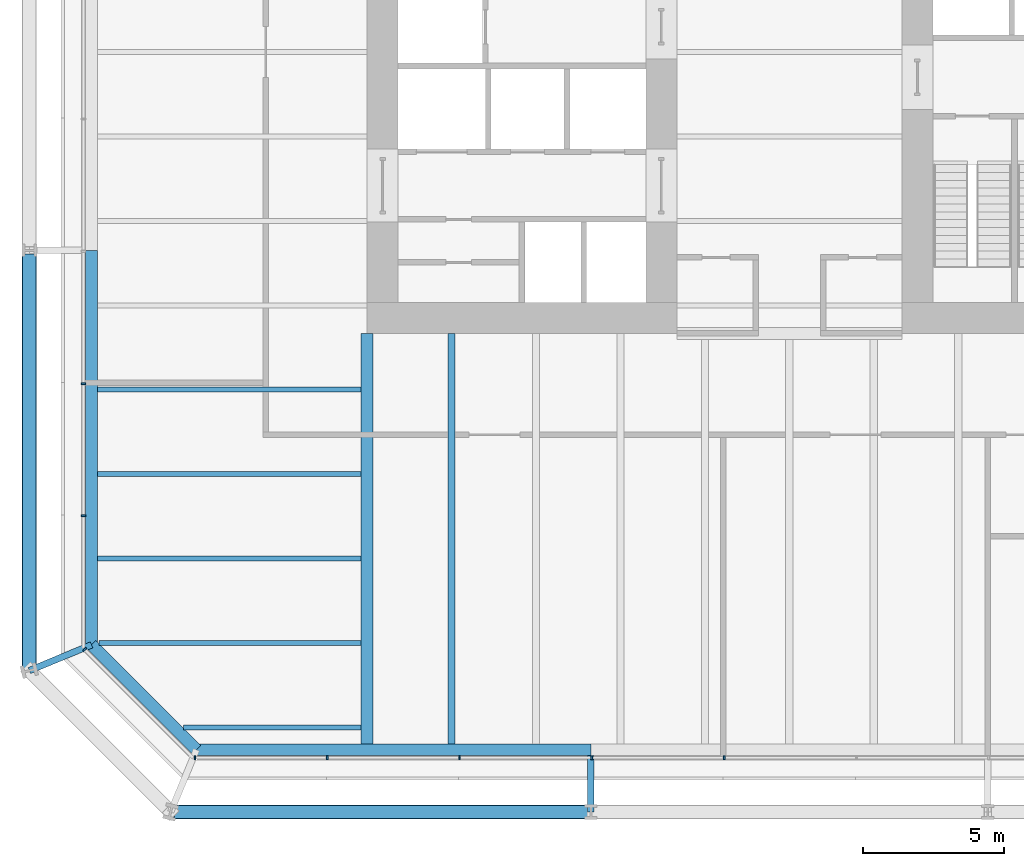
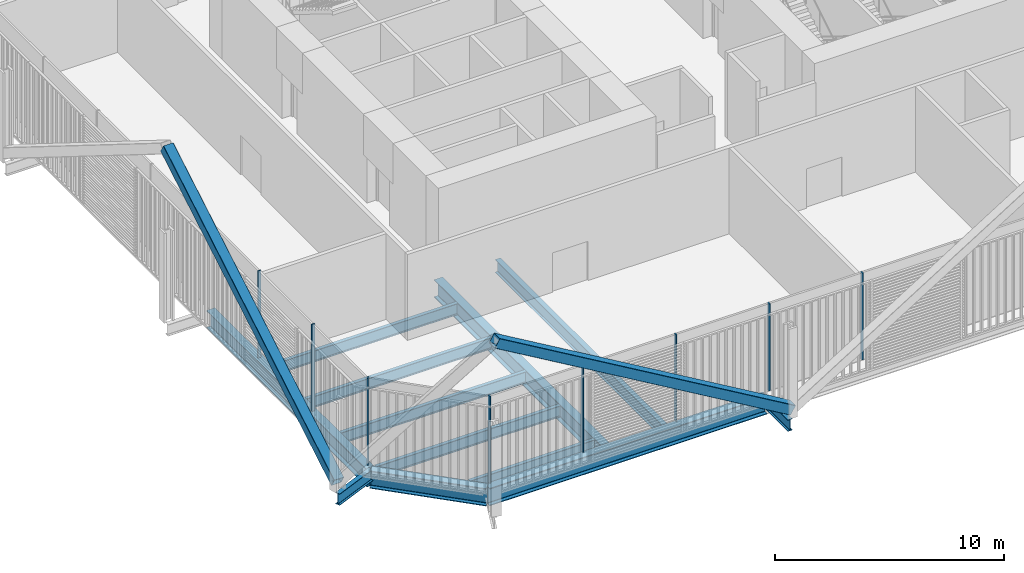
# One storey, part 2 of 22: 12 beams, 10 members, 3 elements without a shape of their own.
"""IFC4 building model written with IfcOpenShell, lengths in metres."""

from ifc_helpers import new_model, si_unit, direction, frame, origin, origin_2d, place, context, subcontext, project, spatial, rectangle, hollow_rectangle, i_section, extrude, material, layer, layer_set, material_profile, profile_set, type_object, element, aggregate, save


model = new_model("IFC4")

# Units and contexts
model_context = context("Model", 3, precision=1e-05, world=origin(), true_north=direction((0.0, 1.0)))
body_context = subcontext(model_context, "Body", "Model", "MODEL_VIEW")
ifc_project = project(units=[si_unit("LENGTHUNIT", "METRE"), si_unit("AREAUNIT", "SQUARE_METRE"), si_unit("VOLUMEUNIT", "CUBIC_METRE"), si_unit("PLANEANGLEUNIT", "RADIAN"), si_unit("MASSUNIT", "GRAM", prefix="KILO")], contexts=[model_context])

# Site, building, storey
site_placement = place(None, origin())
site = spatial("IfcSite", under=ifc_project, at=site_placement, CompositionType="ELEMENT")
building_placement = place(site_placement, origin())
building = spatial("IfcBuilding", under=site, at=building_placement, Name="Millrace Tower", CompositionType="ELEMENT")
storey_placement = place(building_placement, frame((0.0, 0.0, 35.300048828125)))
storey = spatial("IfcBuildingStorey", under=building, at=storey_placement, Name="L08", CompositionType="ELEMENT", Elevation=35.300048828125)

# Curtain wall, member
ifc_material_1 = material(Name="Aluminium and glass", Category="aluminium")
ifc_layer = layer(ifc_material_1, 0.14990234375)
ifc_layer_set = layer_set([ifc_layer], Name="Aluminium and glass")
curtain_wall_type = type_object("IfcCurtainWallType", Name="CW-2 data hall insulated curtain wall", PredefinedType="NOTDEFINED", material=ifc_layer_set)
placement = place(storey_placement, origin())
curtain_wall_1 = element("IfcCurtainWall", 1, at=placement, inside=storey, type_object=curtain_wall_type, Name="Curtain wall A-F01 L08", PredefinedType="NOTDEFINED")
ifc_material_2 = material(Name="Aluminium", Category="aluminium")
ifc_material_profile_1 = material_profile(ifc_material_2, rectangle(XDim=0.06494140625, YDim=0.14990234375, at=origin_2d()))
ifc_profile_set_1 = profile_set([ifc_material_profile_1], Name="Aluminium")
member_type_1 = type_object("IfcMemberType", Name="CW-2 data hall insulated curtain wall mullion", PredefinedType="MULLION", material=ifc_profile_set_1)
member_1_placement = place(storey_placement, frame((-25.030029296875, -21.22607421875, 0.159912109375), z_axis=(0.0, 0.0, 1.0), x_axis=(0.707106781187, -0.707106781187, 0.0)))
member_1 = element("IfcMember", 2, at=member_1_placement, type_object=member_type_1, Name="CW2 mullion A-F01.1", PredefinedType="MULLION", context=body_context, shape_type="SweptSolid", body=[
    extrude(rectangle(XDim=0.06494140625, YDim=0.14990234375, at=origin_2d()), origin(), (0.0, 0.0, 1.0), 4.64013671875),
])
aggregate(curtain_wall_1, [member_1])

# Curtain wall, members
curtain_wall_2 = element("IfcCurtainWall", 3, at=placement, inside=storey, type_object=curtain_wall_type, Name="Curtain wall A-F02 L08", PredefinedType="NOTDEFINED")
member_2_placement = place(storey_placement, frame((-21.117431640625, -25.074951171875, 0.159912109375), z_axis=(0.0, 0.0, 1.0), x_axis=(1.0, 0.0, 0.0)))
member_2 = element("IfcMember", 4, at=member_2_placement, type_object=member_type_1, Name="CW2 mullion A-F02.1", PredefinedType="MULLION", context=body_context, shape_type="SweptSolid", body=[
    extrude(rectangle(XDim=0.06494140625, YDim=0.14990234375, at=origin_2d()), origin(), (0.0, 0.0, 1.0), 4.64013671875),
])
member_3_placement = place(storey_placement, frame((-16.41748046875, -25.074951171875, 0.159912109375), z_axis=(0.0, 0.0, 1.0), x_axis=(1.0, 0.0, 0.0)))
member_3 = element("IfcMember", 5, at=member_3_placement, type_object=member_type_1, Name="CW2 mullion A-F02.2", PredefinedType="MULLION", context=body_context, shape_type="SweptSolid", body=[
    extrude(rectangle(XDim=0.06494140625, YDim=0.14990234375, at=origin_2d()), origin(), (0.0, 0.0, 1.0), 4.64013671875),
])
member_4_placement = place(storey_placement, frame((-11.717529296875, -25.074951171875, 0.159912109375), z_axis=(0.0, 0.0, 1.0), x_axis=(1.0, 0.0, 0.0)))
member_4 = element("IfcMember", 6, at=member_4_placement, type_object=member_type_1, Name="CW2 mullion A-F02.3", PredefinedType="MULLION", context=body_context, shape_type="SweptSolid", body=[
    extrude(rectangle(XDim=0.06494140625, YDim=0.14990234375, at=origin_2d()), origin(), (0.0, 0.0, 1.0), 4.64013671875),
])
member_5_placement = place(storey_placement, frame((-7.017578125, -25.074951171875, 0.159912109375), z_axis=(0.0, 0.0, 1.0), x_axis=(1.0, 0.0, 0.0)))
member_5 = element("IfcMember", 7, at=member_5_placement, type_object=member_type_1, Name="CW2 mullion A-F02.4", PredefinedType="MULLION", context=body_context, shape_type="SweptSolid", body=[
    extrude(rectangle(XDim=0.06494140625, YDim=0.14990234375, at=origin_2d()), origin(), (0.0, 0.0, 1.0), 4.64013671875),
])
member_6_placement = place(storey_placement, frame((-2.3173828125, -25.074951171875, 0.159912109375), z_axis=(0.0, 0.0, 1.0), x_axis=(1.0, 0.0, 0.0)))
member_6 = element("IfcMember", 8, at=member_6_placement, type_object=member_type_1, Name="CW2 mullion A-F02.5", PredefinedType="MULLION", context=body_context, shape_type="SweptSolid", body=[
    extrude(rectangle(XDim=0.06494140625, YDim=0.14990234375, at=origin_2d()), origin(), (0.0, 0.0, 1.0), 4.64013671875),
])
aggregate(curtain_wall_2, [member_2, member_3, member_4, member_5, member_6])

curtain_wall_3 = element("IfcCurtainWall", 9, at=placement, inside=storey, type_object=curtain_wall_type, Name="Curtain wall A-F08 L08", PredefinedType="NOTDEFINED")
member_7_placement = place(storey_placement, frame((-25.074951171875, -11.782470703125, 0.159912109375), z_axis=(0.0, 0.0, 1.0), x_axis=(0.0, -1.0, 0.0)))
member_7 = element("IfcMember", 10, at=member_7_placement, type_object=member_type_1, Name="CW2 mullion A-F08.8", PredefinedType="MULLION", context=body_context, shape_type="SweptSolid", body=[
    extrude(rectangle(XDim=0.06494140625, YDim=0.14990234375, at=origin_2d()), origin(), (0.0, 0.0, 1.0), 4.64013671875),
])
member_8_placement = place(storey_placement, frame((-25.074951171875, -16.482421875, 0.159912109375), z_axis=(0.0, 0.0, 1.0), x_axis=(0.0, -1.0, 0.0)))
member_8 = element("IfcMember", 11, at=member_8_placement, type_object=member_type_1, Name="CW2 mullion A-F08.9", PredefinedType="MULLION", context=body_context, shape_type="SweptSolid", body=[
    extrude(rectangle(XDim=0.06494140625, YDim=0.14990234375, at=origin_2d()), origin(), (0.0, 0.0, 1.0), 4.64013671875),
])
aggregate(curtain_wall_3, [member_7, member_8])

# Members
ifc_material_3 = material(Name="Steel ASTM A500 Grade C", Category="steel")
ifc_material_profile_2 = material_profile(ifc_material_3, hollow_rectangle(XDim=0.508056640625, YDim=0.508056640625, WallThickness=0.01904296875, InnerFilletRadius=0.009521484375, OuterFilletRadius=0.028564453125, at=origin_2d()))
ifc_profile_set_2 = profile_set([ifc_material_profile_2], Name="Steel ASTM A500 Grade C")
member_type_2 = type_object("IfcMemberType", Name="Exoskeleton brace HSS20x20x3/4", PredefinedType="BRACE", material=ifc_profile_set_2)
for number, where, z_axis, x_axis, name in (
    (12, (-7.050048828125, -27.0, 0.39990234375), (-0.861464835883, 0.0, 0.507817227491), (0.0, -1.0, 0.0), "BRC-A-L08-02"),
    (13, (-27.0, -21.978515625, 0.39990234375), (0.0, 0.861464835883, 0.507817227491), (-1.0, 0.0, 0.0), "BRC-A-L08-16"),
):
    element("IfcMember", number, at=place(storey_placement, frame(where, z_axis=z_axis, x_axis=x_axis)), inside=storey, type_object=member_type_2, Name=name, PredefinedType="BRACE", context=body_context, shape_type="SweptSolid", body=[
        extrude(hollow_rectangle(XDim=0.508056640625, YDim=0.508056640625, WallThickness=0.01904296875, InnerFilletRadius=0.009521484375, OuterFilletRadius=0.028564453125, at=origin_2d()), origin(), (0.0, 0.0, 1.0), 17.3291015625),
    ])

# Beams
ifc_material_4 = material(Name="Steel ASTM A992 Grade 50", Category="steel")
ifc_material_profile_3 = material_profile(ifc_material_4, i_section(OverallWidth=0.177978515625, OverallDepth=0.599365234375, WebThickness=0.010009765625, FlangeThickness=0.012939453125, FilletRadius=0.012939453125, at=origin_2d()))
ifc_profile_set_3 = profile_set([ifc_material_profile_3], Name="Steel ASTM A992 Grade 50")
beam_type_1 = type_object("IfcBeamType", Name="Floor beam W24x55", PredefinedType="JOIST", material=ifc_profile_set_3)
beam_1_placement = place(storey_placement, frame((-21.52978515625, -24.0, -0.524658203125), z_axis=(1.0, 0.0, 0.0), x_axis=(0.0, 1.0, 0.0)))
element("IfcBeam", 14, at=beam_1_placement, inside=storey, type_object=beam_type_1, Name="BM-A-L08-S1-S001", PredefinedType="JOIST", context=body_context, shape_type="SweptSolid", body=[
    extrude(i_section(OverallWidth=0.177978515625, OverallDepth=0.599365234375, WebThickness=0.010009765625, FlangeThickness=0.012939453125, FilletRadius=0.012939453125, at=origin_2d()), origin(), (0.0, 0.0, 1.0), 6.317626953125),
])
ifc_material_5 = material(Name="Steel ASTM A992 Grade 50", Category="steel")
ifc_material_profile_4 = material_profile(ifc_material_5, i_section(OverallWidth=0.1787109375, OverallDepth=0.60205078125, WebThickness=0.010986328125, FlangeThickness=0.014892578125, FilletRadius=0.0126953125, at=origin_2d()))
ifc_profile_set_4 = profile_set([ifc_material_profile_4], Name="Steel ASTM A992 Grade 50")
beam_type_2 = type_object("IfcBeamType", Name="Floor beam W24x62", PredefinedType="JOIST", material=ifc_profile_set_4)
for number, where, z_axis, x_axis, name in (
    (15, (-24.578369140625, -18.0, -0.526123046875), (1.0, 0.0, 0.0), (0.0, 1.0, 0.0), "BM-A-L08-S1-S005"),
    (16, (-24.578369140625, -15.0, -0.526123046875), (1.0, 0.0, 0.0), (0.0, 1.0, 0.0), "BM-A-L08-S1-S007"),
    (17, (-24.578369140625, -12.0, -0.526123046875), (1.0, 0.0, 0.0), (0.0, 1.0, 0.0), "BM-A-L08-S1-S009"),
):
    element("IfcBeam", number, at=place(storey_placement, frame(where, z_axis=z_axis, x_axis=x_axis)), inside=storey, type_object=beam_type_2, Name=name, PredefinedType="JOIST", context=body_context, shape_type="SweptSolid", body=[
        extrude(i_section(OverallWidth=0.1787109375, OverallDepth=0.60205078125, WebThickness=0.010986328125, FlangeThickness=0.014892578125, FilletRadius=0.0126953125, at=origin_2d()), origin(), (0.0, 0.0, 1.0), 9.3662109375),
    ])
beam_2_placement = place(storey_placement, frame((-24.52978515625, -21.0, -0.526123046875), z_axis=(1.0, 0.0, 0.0), x_axis=(0.0, 1.0, 0.0)))
element("IfcBeam", 18, at=beam_2_placement, inside=storey, type_object=beam_type_2, Name="BM-A-L08-S1-S003", PredefinedType="JOIST", context=body_context, shape_type="SweptSolid", body=[
    extrude(i_section(OverallWidth=0.1787109375, OverallDepth=0.60205078125, WebThickness=0.010986328125, FlangeThickness=0.014892578125, FilletRadius=0.0126953125, at=origin_2d()), origin(), (0.0, 0.0, 1.0), 9.317626953125),
])
ifc_material_6 = material(Name="Steel ASTM A992 Grade 50", Category="steel")
ifc_material_profile_5 = material_profile(ifc_material_6, i_section(OverallWidth=0.256591796875, OverallDepth=0.693359375, WebThickness=0.014404296875, FlangeThickness=0.023681640625, FilletRadius=0.01513671875, at=origin_2d()))
ifc_profile_set_5 = profile_set([ifc_material_profile_5], Name="Steel ASTM A992 Grade 50")
beam_type_3 = type_object("IfcBeamType", Name="Floor beam W27x114", PredefinedType="JOIST", material=ifc_profile_set_5)
beam_3_placement = place(storey_placement, frame((-12.0, -24.578369140625, -0.57177734375), z_axis=(0.0, 1.0, 0.0), x_axis=(-1.0, 0.0, 0.0)))
element("IfcBeam", 19, at=beam_3_placement, inside=storey, type_object=beam_type_3, Name="BM-A-L08-S1-S043", PredefinedType="JOIST", context=body_context, shape_type="SweptSolid", body=[
    extrude(i_section(OverallWidth=0.256591796875, OverallDepth=0.693359375, WebThickness=0.014404296875, FlangeThickness=0.023681640625, FilletRadius=0.01513671875, at=origin_2d()), origin(), (0.0, 0.0, 1.0), 14.578369140625),
])
ifc_material_7 = material(Name="Steel ASTM A992 Grade 50", Category="steel")
ifc_material_profile_6 = material_profile(ifc_material_7, i_section(OverallWidth=0.424072265625, OverallDepth=0.947509765625, WebThickness=0.02392578125, FlangeThickness=0.042724609375, FilletRadius=0.024169921875, at=origin_2d()))
ifc_profile_set_6 = profile_set([ifc_material_profile_6], Name="Steel ASTM A992 Grade 50")
beam_type_4 = type_object("IfcBeamType", Name="Girder medium span W36x302", PredefinedType="BEAM", material=ifc_profile_set_6)
beam_4_placement = place(storey_placement, frame((-15.0, -24.578369140625, -0.69873046875), z_axis=(0.0, 1.0, 0.0), x_axis=(-1.0, 0.0, 0.0)))
element("IfcBeam", 20, at=beam_4_placement, inside=storey, type_object=beam_type_4, Name="BM-A-L08-S1-G061", PredefinedType="BEAM", context=body_context, shape_type="SweptSolid", body=[
    extrude(i_section(OverallWidth=0.424072265625, OverallDepth=0.947509765625, WebThickness=0.02392578125, FlangeThickness=0.042724609375, FilletRadius=0.024169921875, at=origin_2d()), origin(), (0.0, 0.0, 1.0), 14.578369140625),
])
ifc_material_8 = material(Name="Steel ASTM A992 Grade 50", Category="steel")
ifc_material_profile_7 = material_profile(ifc_material_8, i_section(OverallWidth=0.23046875, OverallDepth=0.6171875, WebThickness=0.01318359375, FlangeThickness=0.022216796875, FilletRadius=0.012939453125, at=origin_2d()))
ifc_profile_set_7 = profile_set([ifc_material_profile_7], Name="Steel ASTM A992 Grade 50")
beam_type_5 = type_object("IfcBeamType", Name="Link beam W24x94", PredefinedType="BEAM", material=ifc_profile_set_7)
beam_5_placement = place(storey_placement, frame((-24.7890625, -21.062744140625, -0.53369140625), z_axis=(-0.923883789366, -0.382673155247, 0.0), x_axis=(0.382673155247, -0.923883789366, 0.0)))
element("IfcBeam", 21, at=beam_5_placement, inside=storey, type_object=beam_type_5, Name="LNK-A-L08-S1-01", PredefinedType="BEAM", context=body_context, shape_type="SweptSolid", body=[
    extrude(i_section(OverallWidth=0.23046875, OverallDepth=0.6171875, WebThickness=0.01318359375, FlangeThickness=0.022216796875, FilletRadius=0.012939453125, at=origin_2d()), origin(), (0.0, 0.0, 1.0), 2.39306640625),
])
beam_6_placement = place(storey_placement, frame((-7.050048828125, -25.0, -0.53369140625), z_axis=(0.0, -1.0, 0.0), x_axis=(1.0, 0.0, 0.0)))
element("IfcBeam", 22, at=beam_6_placement, inside=storey, type_object=beam_type_5, Name="LNK-A-L08-S1-15", PredefinedType="BEAM", context=body_context, shape_type="SweptSolid", body=[
    extrude(i_section(OverallWidth=0.23046875, OverallDepth=0.6171875, WebThickness=0.01318359375, FlangeThickness=0.022216796875, FilletRadius=0.012939453125, at=origin_2d()), origin(), (0.0, 0.0, 1.0), 2.0),
])
ifc_material_9 = material(Name="Steel ASTM A992 Grade 50", Category="steel")
ifc_material_profile_8 = material_profile(ifc_material_9, i_section(OverallWidth=0.421630859375, OverallDepth=0.937255859375, WebThickness=0.021240234375, FlangeThickness=0.03662109375, FilletRadius=0.024169921875, at=origin_2d()))
ifc_profile_set_8 = profile_set([ifc_material_profile_8], Name="Steel ASTM A992 Grade 50")
beam_type_6 = type_object("IfcBeamType", Name="Ring beam medium span W36x262", PredefinedType="SPANDREL", material=ifc_profile_set_8)
for number, where, z_axis, x_axis, name in (
    (23, (-24.7890625, -21.062744140625, -0.693603515625), (0.0, 1.0, 0.0), (-1.0, 0.0, 0.0), "RNG-A-L08-S1-01"),
    (24, (-7.050048828125, -24.7890625, -0.693603515625), (-1.0, 0.0, 0.0), (0.0, -1.0, 0.0), "RNG-A-L08-S1-15"),
):
    element("IfcBeam", number, at=place(storey_placement, frame(where, z_axis=z_axis, x_axis=x_axis)), inside=storey, type_object=beam_type_6, Name=name, PredefinedType="SPANDREL", context=body_context, shape_type="SweptSolid", body=[
        extrude(i_section(OverallWidth=0.421630859375, OverallDepth=0.937255859375, WebThickness=0.021240234375, FlangeThickness=0.03662109375, FilletRadius=0.024169921875, at=origin_2d()), origin(), (0.0, 0.0, 1.0), 14.0126953125),
    ])
ifc_material_10 = material(Name="Steel ASTM A992 Grade 50", Category="steel")
ifc_material_profile_9 = material_profile(ifc_material_10, i_section(OverallWidth=0.421630859375, OverallDepth=0.937255859375, WebThickness=0.021240234375, FlangeThickness=0.03662109375, FilletRadius=0.024169921875, at=origin_2d()))
ifc_profile_set_9 = profile_set([ifc_material_profile_9], Name="Steel ASTM A992 Grade 50")
beam_type_7 = type_object("IfcBeamType", Name="Ring beam short span W36x262", PredefinedType="SPANDREL", material=ifc_profile_set_9)
beam_7_placement = place(storey_placement, frame((-21.062744140625, -24.7890625, -0.693603515625), z_axis=(-0.707106781187, 0.707106781187, 0.0), x_axis=(-0.707106781187, -0.707106781187, 0.0)))
element("IfcBeam", 25, at=beam_7_placement, inside=storey, type_object=beam_type_7, Name="RNG-A-L08-S1-16", PredefinedType="SPANDREL", context=body_context, shape_type="SweptSolid", body=[
    extrude(i_section(OverallWidth=0.421630859375, OverallDepth=0.937255859375, WebThickness=0.021240234375, FlangeThickness=0.03662109375, FilletRadius=0.024169921875, at=origin_2d()), origin(), (0.0, 0.0, 1.0), 5.269775390625),
])

save(model, "model.ifc")
